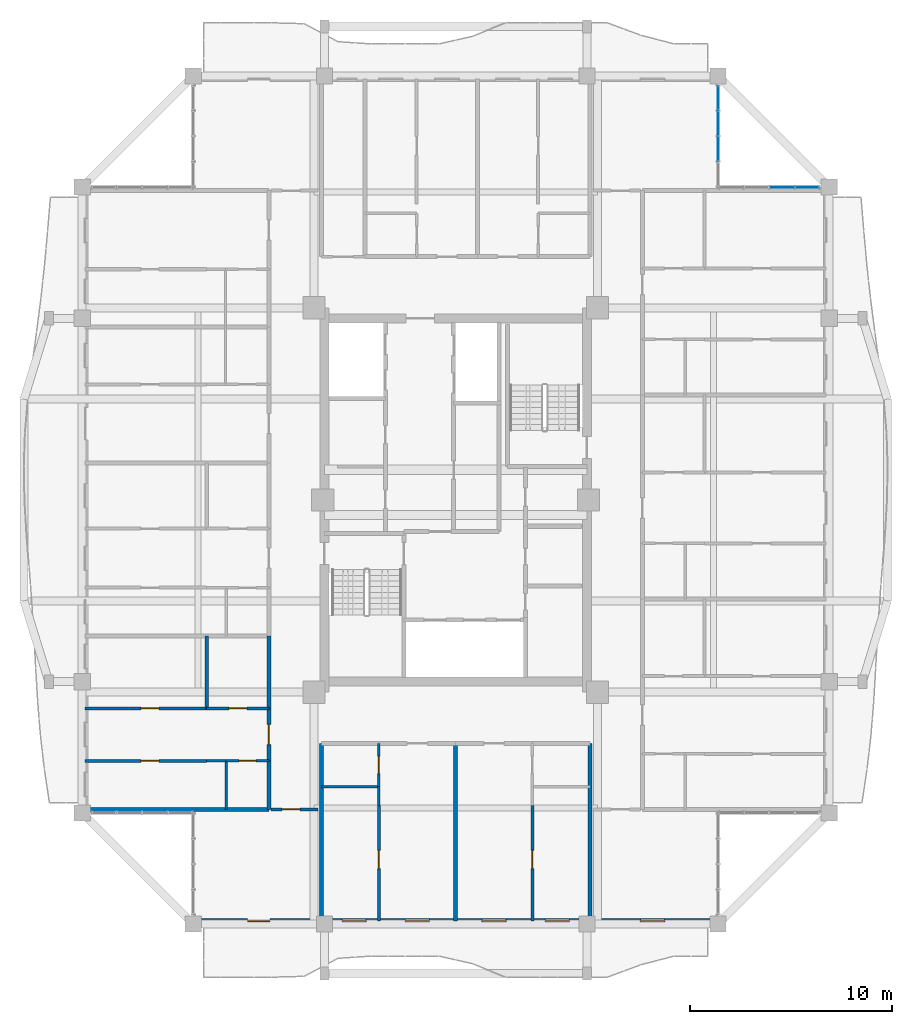
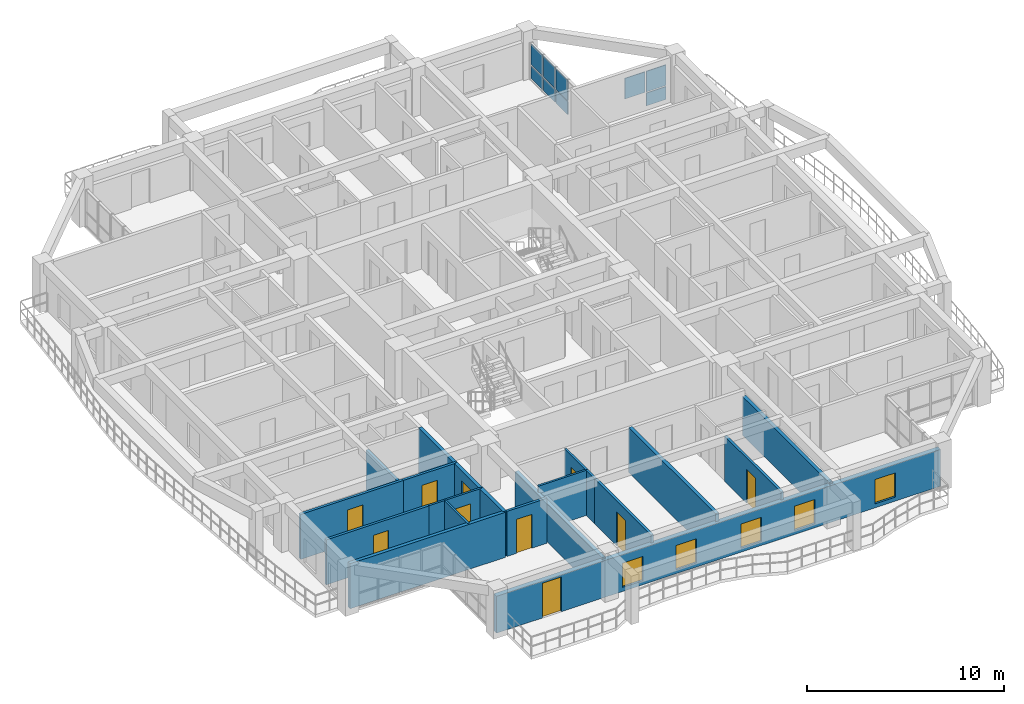
# One storey, part 10 of 22: 21 walls, 10 doors, 9 plates, 5 windows, 15 openings, 2 elements without a shape of their own.
"""IFC4 building model written with IfcOpenShell, lengths in metres."""

from ifc_helpers import new_model, si_unit, direction, frame, frame_2d, origin, origin_2d, place, context, subcontext, project, spatial, rectangle, extrude, source, transform, mapped, material, layer, layer_set, type_object, element, fill, aggregate, save


model = new_model("IFC4")

# Units and contexts
model_context = context("Model", 3, precision=1e-05, world=origin(), true_north=direction((0.0, 1.0)))
body_context = subcontext(model_context, "Body", "Model", "MODEL_VIEW")
ifc_project = project(units=[si_unit("LENGTHUNIT", "METRE"), si_unit("AREAUNIT", "SQUARE_METRE"), si_unit("VOLUMEUNIT", "CUBIC_METRE"), si_unit("PLANEANGLEUNIT", "RADIAN"), si_unit("MASSUNIT", "GRAM", prefix="KILO")], contexts=[model_context])

# Site, building, storey
site_placement = place(None, origin())
site = spatial("IfcSite", under=ifc_project, at=site_placement, CompositionType="ELEMENT")
building_placement = place(site_placement, origin())
building = spatial("IfcBuilding", under=site, at=building_placement, Name="Saelheon Loggia Tower", CompositionType="ELEMENT")
storey_placement = place(building_placement, frame((0.0, 0.0, 196.60009765625)))
storey = spatial("IfcBuildingStorey", under=building, at=storey_placement, Name="L61", CompositionType="ELEMENT", Elevation=196.60009765625)

# Curtain wall, plate
ifc_material_1 = material(Name="High-Wind Aluminium and Triple Laminated Glass", Category="aluminium")
ifc_layer_1 = layer(ifc_material_1, 0.179931640625)
ifc_layer_set_1 = layer_set([ifc_layer_1], Name="High-Wind Aluminium and Triple Laminated Glass")
curtain_wall_type = type_object("IfcCurtainWallType", Name="CW_TowerLoggiaHigh", PredefinedType="NOTDEFINED", material=ifc_layer_set_1)
curtain_wall_1_placement = place(storey_placement, origin())
curtain_wall_1 = element("IfcCurtainWall", 1, at=curtain_wall_1_placement, inside=storey, type_object=curtain_wall_type, Name="L61 Corner Notch Glazing NE1", PredefinedType="NOTDEFINED")
ifc_material_2 = material(Name="Triple Low-E Laminated Glazing", Category="glass")
ifc_layer_2 = layer(ifc_material_2, 0.0439453125)
ifc_layer_set_2 = layer_set([ifc_layer_2], Name="Triple Low-E Laminated Glazing")
plate_type = type_object("IfcPlateType", Name="CW_TowerLoggiaHigh_Panel", PredefinedType="CURTAIN_PANEL", material=ifc_layer_set_2)
shared_shape_1 = source(origin(), body_context, "Body", "SweptSolid", [
    extrude(rectangle(XDim=1.159912109375, YDim=0.0439453125, at=origin_2d()), origin(), (0.0, 0.0, 1.0), 0.794921875),
])
plate_1_placement = place(storey_placement, frame((51.0, 46.909912109375, 0.06982421875), z_axis=(0.0, 0.0, 1.0), x_axis=(0.0, 1.0, 0.0)))
plate_1 = element("IfcPlate", 2, at=plate_1_placement, type_object=plate_type, Name="CW4 panel 4.1", PredefinedType="CURTAIN_PANEL", context=body_context, shape_type="MappedRepresentation", body=[
    mapped(shared_shape_1, transform((0.0, 0.0, 0.0), scale=1.0)),
])

curtain_wall_2_placement = place(storey_placement, origin())
curtain_wall_2 = element("IfcCurtainWall", 3, at=curtain_wall_2_placement, inside=storey, type_object=curtain_wall_type, Name="L61 Corner Notch Glazing NE2", PredefinedType="NOTDEFINED")
plate_2_placement = place(storey_placement, frame((55.409912109375, 42.5, 0.06982421875), z_axis=(0.0, 0.0, 1.0), x_axis=(1.0, 0.0, 0.0)))
plate_2 = element("IfcPlate", 4, at=plate_2_placement, type_object=plate_type, Name="CW4 panel 4.1", PredefinedType="CURTAIN_PANEL", context=body_context, shape_type="MappedRepresentation", body=[
    mapped(shared_shape_1, transform((0.0, 0.0, 0.0), scale=1.0)),
])

# Plate
shared_shape_2 = source(origin(), body_context, "Body", "SweptSolid", [
    extrude(rectangle(XDim=1.159912109375, YDim=0.0439453125, at=origin_2d()), origin(), (0.0, 0.0, 1.0), 1.27490234375),
])
plate_3_placement = place(storey_placement, frame((51.0, 46.909912109375, 0.93505859375), z_axis=(0.0, 0.0, 1.0), x_axis=(0.0, 1.0, 0.0)))
plate_3 = element("IfcPlate", 5, at=plate_3_placement, type_object=plate_type, Name="CW4 panel 4.2", PredefinedType="CURTAIN_PANEL", context=body_context, shape_type="MappedRepresentation", body=[
    mapped(shared_shape_2, transform((0.0, 0.0, 0.0), scale=1.0)),
])

plate_4_placement = place(storey_placement, frame((55.409912109375, 42.5, 0.93505859375), z_axis=(0.0, 0.0, 1.0), x_axis=(1.0, 0.0, 0.0)))
plate_4 = element("IfcPlate", 6, at=plate_4_placement, type_object=plate_type, Name="CW4 panel 4.2", PredefinedType="CURTAIN_PANEL", context=body_context, shape_type="MappedRepresentation", body=[
    mapped(shared_shape_2, transform((0.0, 0.0, 0.0), scale=1.0)),
])

shared_shape_3 = source(origin(), body_context, "Body", "SweptSolid", [
    extrude(rectangle(XDim=1.195068359375, YDim=0.0439453125, at=origin_2d()), origin(), (0.0, 0.0, 1.0), 0.794921875),
])
plate_5_placement = place(storey_placement, frame((51.0, 44.3974609375, 0.06982421875), z_axis=(0.0, 0.0, 1.0), x_axis=(0.0, 1.0, 0.0)))
plate_5 = element("IfcPlate", 7, at=plate_5_placement, type_object=plate_type, Name="CW4 panel 2.1", PredefinedType="CURTAIN_PANEL", context=body_context, shape_type="MappedRepresentation", body=[
    mapped(shared_shape_3, transform((0.0, 0.0, 0.0), scale=1.0)),
])

plate_6_placement = place(storey_placement, frame((51.0, 45.66259765625, 0.06982421875), z_axis=(0.0, 0.0, 1.0), x_axis=(0.0, 1.0, 0.0)))
plate_6 = element("IfcPlate", 8, at=plate_6_placement, type_object=plate_type, Name="CW4 panel 3.1", PredefinedType="CURTAIN_PANEL", context=body_context, shape_type="MappedRepresentation", body=[
    mapped(shared_shape_3, transform((0.0, 0.0, 0.0), scale=1.0)),
])

shared_shape_4 = source(origin(), body_context, "Body", "SweptSolid", [
    extrude(rectangle(XDim=1.195068359375, YDim=0.0439453125, at=origin_2d()), origin(), (0.0, 0.0, 1.0), 1.27490234375),
])
plate_7_placement = place(storey_placement, frame((51.0, 44.3974609375, 0.93505859375), z_axis=(0.0, 0.0, 1.0), x_axis=(0.0, 1.0, 0.0)))
plate_7 = element("IfcPlate", 9, at=plate_7_placement, type_object=plate_type, Name="CW4 panel 2.2", PredefinedType="CURTAIN_PANEL", context=body_context, shape_type="MappedRepresentation", body=[
    mapped(shared_shape_4, transform((0.0, 0.0, 0.0), scale=1.0)),
])

plate_8_placement = place(storey_placement, frame((51.0, 45.66259765625, 0.93505859375), z_axis=(0.0, 0.0, 1.0), x_axis=(0.0, 1.0, 0.0)))
plate_8 = element("IfcPlate", 10, at=plate_8_placement, type_object=plate_type, Name="CW4 panel 3.2", PredefinedType="CURTAIN_PANEL", context=body_context, shape_type="MappedRepresentation", body=[
    mapped(shared_shape_4, transform((0.0, 0.0, 0.0), scale=1.0)),
])

aggregate(curtain_wall_1, [plate_5, plate_7, plate_6, plate_8, plate_1, plate_3])

plate_9_placement = place(storey_placement, frame((54.16259765625, 42.5, 0.93505859375), z_axis=(0.0, 0.0, 1.0), x_axis=(1.0, 0.0, 0.0)))
plate_9 = element("IfcPlate", 11, at=plate_9_placement, type_object=plate_type, Name="CW4 panel 3.2", PredefinedType="CURTAIN_PANEL", context=body_context, shape_type="MappedRepresentation", body=[
    mapped(shared_shape_4, transform((0.0, 0.0, 0.0), scale=1.0)),
])

aggregate(curtain_wall_2, [plate_9, plate_2, plate_4])

# Wall, openings, windows, door
ifc_material_3 = material(Name="Architectural Precast Concrete C40/50", Category="concrete")
ifc_layer_3 = layer(ifc_material_3, 0.280029296875)
ifc_layer_set_3 = layer_set([ifc_layer_3], Name="Architectural Precast Concrete C40/50")
wall_type_1 = type_object("IfcWallType", Name="Wall_Ext_Loggia_280", PredefinedType="SOLIDWALL", material=ifc_layer_set_3)
wall_1_placement = place(storey_placement, frame((25.0, 6.139892578125, 0.0), z_axis=(0.0, 0.0, 1.0), x_axis=(1.0, 0.0, 0.0)))
wall_1 = element("IfcWall", 12, at=wall_1_placement, inside=storey, type_object=wall_type_1, Name="L61 South Loggia Inner Wall", PredefinedType="SOLIDWALL", context=body_context, shape_type="SweptSolid", body=[
    extrude(rectangle(XDim=26.0, YDim=0.280029296875, at=frame_2d((13.0, 0.0))), origin(), (0.0, 0.0, 1.0), 2.27978515625),
])
opening_1_placement = place(wall_1_placement, frame((3.800048828125, 0.0, 0.0), z_axis=(0.0, 0.0, 1.0), x_axis=(-1.0, 0.0, 0.0)))
opening_1 = element("IfcOpeningElement", 13, at=opening_1_placement, cuts=wall_1, Name="Opening TD1", PredefinedType="OPENING", context=body_context, shape_type="SweptSolid", body=[
    extrude(rectangle(XDim=1.10009765625, YDim=2.14990234375, at=frame_2d((0.550048828125, 1.074951171875))), frame((0.0, 0.152099609375, 0.0), z_axis=(0.0, -1.0, 0.0), x_axis=(1.0, 0.0, 0.0)), (0.0, 0.0, 1.0), 0.303955078125),
])
opening_2_placement = place(wall_1_placement, frame((7.3701171875, 0.0, 0.25)))
opening_2 = element("IfcOpeningElement", 14, at=opening_2_placement, cuts=wall_1, Name="Opening WN-03", PredefinedType="OPENING", context=body_context, shape_type="SweptSolid", body=[
    extrude(rectangle(XDim=1.199951171875, YDim=1.5, at=frame_2d((0.60009765625, 0.75))), frame((0.0, 0.152099609375, 0.0), z_axis=(0.0, -1.0, 0.0), x_axis=(1.0, 0.0, 0.0)), (0.0, 0.0, 1.0), 0.303955078125),
])
opening_3_placement = place(wall_1_placement, frame((10.5, 0.0, 0.25)))
opening_3 = element("IfcOpeningElement", 15, at=opening_3_placement, cuts=wall_1, Name="Opening WN-03", PredefinedType="OPENING", context=body_context, shape_type="SweptSolid", body=[
    extrude(rectangle(XDim=1.199951171875, YDim=1.5, at=frame_2d((0.60009765625, 0.75))), frame((0.0, 0.152099609375, 0.0), z_axis=(0.0, -1.0, 0.0), x_axis=(1.0, 0.0, 0.0)), (0.0, 0.0, 1.0), 0.303955078125),
])
opening_4_placement = place(wall_1_placement, frame((14.300048828125, 0.0, 0.25)))
opening_4 = element("IfcOpeningElement", 16, at=opening_4_placement, cuts=wall_1, Name="Opening WN-03", PredefinedType="OPENING", context=body_context, shape_type="SweptSolid", body=[
    extrude(rectangle(XDim=1.199951171875, YDim=1.5, at=frame_2d((0.60009765625, 0.75))), frame((0.0, 0.152099609375, 0.0), z_axis=(0.0, -1.0, 0.0), x_axis=(1.0, 0.0, 0.0)), (0.0, 0.0, 1.0), 0.303955078125),
])
opening_5_placement = place(wall_1_placement, frame((17.429931640625, 0.0, 0.25)))
opening_5 = element("IfcOpeningElement", 17, at=opening_5_placement, cuts=wall_1, Name="Opening WN-03", PredefinedType="OPENING", context=body_context, shape_type="SweptSolid", body=[
    extrude(rectangle(XDim=1.199951171875, YDim=1.5, at=frame_2d((0.60009765625, 0.75))), frame((0.0, 0.152099609375, 0.0), z_axis=(0.0, -1.0, 0.0), x_axis=(1.0, 0.0, 0.0)), (0.0, 0.0, 1.0), 0.303955078125),
])
opening_6_placement = place(wall_1_placement, frame((22.14990234375, 0.0, 0.25)))
opening_6 = element("IfcOpeningElement", 18, at=opening_6_placement, cuts=wall_1, Name="Opening WN-03", PredefinedType="OPENING", context=body_context, shape_type="SweptSolid", body=[
    extrude(rectangle(XDim=1.199951171875, YDim=1.5, at=frame_2d((0.60009765625, 0.75))), frame((0.0, 0.152099609375, 0.0), z_axis=(0.0, -1.0, 0.0), x_axis=(1.0, 0.0, 0.0)), (0.0, 0.0, 1.0), 0.303955078125),
])
ifc_material_4 = material(Name="Thermal-Break Aluminium and Triple Low-E Glass", Category="aluminium")
window_type = type_object("IfcWindowType", Name="Win_Bedroom_1200x1500", PartitioningType="SINGLE_PANEL", PredefinedType="WINDOW", material=ifc_material_4)
shared_shape_5 = source(origin(), body_context, "Body", "SweptSolid", [
    extrude(rectangle(XDim=1.199951171875, YDim=1.5, at=frame_2d((0.60009765625, 0.75))), frame((0.0, 0.030029296875, 0.0), z_axis=(0.0, -1.0, 0.0), x_axis=(1.0, 0.0, 0.0)), (0.0, 0.0, 1.0), 0.06005859375),
])
window_1_placement = place(opening_2_placement, origin())
window_1 = element("IfcWindow", 19, at=window_1_placement, inside=storey, type_object=window_type, Name="L61 S Dwelling Window 2", OverallHeight=1.5, OverallWidth=1.199951171875, PartitioningType="SINGLE_PANEL", PredefinedType="WINDOW", context=body_context, shape_type="MappedRepresentation", body=[
    mapped(shared_shape_5, transform((0.0, 0.0, 0.0), scale=1.0)),
])
fill(opening_2, window_1)
window_2_placement = place(opening_3_placement, origin())
window_2 = element("IfcWindow", 20, at=window_2_placement, inside=storey, type_object=window_type, Name="L61 S Dwelling Window 3", OverallHeight=1.5, OverallWidth=1.199951171875, PartitioningType="SINGLE_PANEL", PredefinedType="WINDOW", context=body_context, shape_type="MappedRepresentation", body=[
    mapped(shared_shape_5, transform((0.0, 0.0, 0.0), scale=1.0)),
])
fill(opening_3, window_2)
window_3_placement = place(opening_4_placement, origin())
window_3 = element("IfcWindow", 21, at=window_3_placement, inside=storey, type_object=window_type, Name="L61 S Dwelling Window 4", OverallHeight=1.5, OverallWidth=1.199951171875, PartitioningType="SINGLE_PANEL", PredefinedType="WINDOW", context=body_context, shape_type="MappedRepresentation", body=[
    mapped(shared_shape_5, transform((0.0, 0.0, 0.0), scale=1.0)),
])
fill(opening_4, window_3)
window_4_placement = place(opening_5_placement, origin())
window_4 = element("IfcWindow", 22, at=window_4_placement, inside=storey, type_object=window_type, Name="L61 S Dwelling Window 5", OverallHeight=1.5, OverallWidth=1.199951171875, PartitioningType="SINGLE_PANEL", PredefinedType="WINDOW", context=body_context, shape_type="MappedRepresentation", body=[
    mapped(shared_shape_5, transform((0.0, 0.0, 0.0), scale=1.0)),
])
fill(opening_5, window_4)
window_5_placement = place(opening_6_placement, origin())
window_5 = element("IfcWindow", 23, at=window_5_placement, inside=storey, type_object=window_type, Name="L61 S Dwelling Window 6", OverallHeight=1.5, OverallWidth=1.199951171875, PartitioningType="SINGLE_PANEL", PredefinedType="WINDOW", context=body_context, shape_type="MappedRepresentation", body=[
    mapped(shared_shape_5, transform((0.0, 0.0, 0.0), scale=1.0)),
])
fill(opening_6, window_5)
ifc_material_5 = material(Name="Thermal-Break Aluminium Glazed Door", Category="aluminium")
door_type_1 = type_object("IfcDoorType", Name="Door_Terrace_TD1", OperationType="NOTDEFINED", PredefinedType="DOOR", material=ifc_material_5)
shared_shape_6 = source(origin(), body_context, "Body", "SweptSolid", [
    extrude(rectangle(XDim=1.10009765625, YDim=2.14990234375, at=frame_2d((0.550048828125, 1.074951171875))), frame((0.0, 0.02490234375, 0.0), z_axis=(0.0, -1.0, 0.0), x_axis=(1.0, 0.0, 0.0)), (0.0, 0.0, 1.0), 0.050048828125),
])
door_1_placement = place(opening_1_placement, origin())
door_1 = element("IfcDoor", 24, at=door_1_placement, inside=storey, type_object=door_type_1, Name="L61 S Loggia Access Door", OperationType="SINGLE_SWING_LEFT", OverallHeight=2.14990234375, OverallWidth=1.10009765625, PredefinedType="DOOR", context=body_context, shape_type="MappedRepresentation", body=[
    mapped(shared_shape_6, transform((0.0, 0.0, 0.0), scale=1.0)),
])
fill(opening_1, door_1)

# Wall, opening, door
ifc_material_6 = material(Name="Lightweight Autoclaved Aerated Concrete Block and Acoustic Gypsum", Category="concrete")
ifc_layer_4 = layer(ifc_material_6, 0.14990234375)
ifc_layer_set_4 = layer_set([ifc_layer_4], Name="Lightweight Autoclaved Aerated Concrete Block and Acoustic Gypsum")
wall_type_2 = type_object("IfcWallType", Name="Wall_Part_150", PredefinedType="PARTITIONING", material=ifc_layer_set_4)
wall_2_placement = place(storey_placement, frame((28.85009765625, 11.679931640625, 0.0), z_axis=(0.0, 0.0, 1.0), x_axis=(1.0, 0.0, 0.0)))
wall_2 = element("IfcWall", 25, at=wall_2_placement, inside=storey, type_object=wall_type_2, Name="PW-L61-CSW-H", PredefinedType="PARTITIONING", context=body_context, shape_type="SweptSolid", body=[
    extrude(rectangle(XDim=2.329833984375, YDim=0.14990234375, at=frame_2d((1.1650390625, 0.0))), origin(), (0.0, 0.0, 1.0), 2.789794921875),
])
opening_7_placement = place(wall_2_placement, frame((0.550048828125, 0.0, 0.0)))
opening_7 = element("IfcOpeningElement", 26, at=opening_7_placement, cuts=wall_2, Name="Opening D-IN2", PredefinedType="OPENING", context=body_context, shape_type="SweptSolid", body=[
    extrude(rectangle(XDim=0.89990234375, YDim=2.10009765625, at=frame_2d((0.449951171875, 1.050048828125))), frame((0.0, 0.0869140625, 0.0), z_axis=(0.0, -1.0, 0.0), x_axis=(1.0, 0.0, 0.0)), (0.0, 0.0, 1.0), 0.173828125),
])
ifc_material_7 = material(Name="Engineered Oak Flush Door", Category="timber")
door_type_2 = type_object("IfcDoorType", Name="Door_Int_900", OperationType="NOTDEFINED", PredefinedType="DOOR", material=ifc_material_7)
shared_shape_7 = source(origin(), body_context, "Body", "SweptSolid", [
    extrude(rectangle(XDim=0.89990234375, YDim=2.10009765625, at=frame_2d((0.449951171875, 1.050048828125))), frame((0.0, 0.02490234375, 0.0), z_axis=(0.0, -1.0, 0.0), x_axis=(1.0, 0.0, 0.0)), (0.0, 0.0, 1.0), 0.050048828125),
])
door_2_placement = place(opening_7_placement, origin())
door_2 = element("IfcDoor", 27, at=door_2_placement, inside=storey, type_object=door_type_2, Name="L61 Corner Home Office SW Door", OperationType="SINGLE_SWING_RIGHT", OverallHeight=2.10009765625, OverallWidth=0.89990234375, PredefinedType="DOOR", context=body_context, shape_type="MappedRepresentation", body=[
    mapped(shared_shape_7, transform((0.0, 0.0, 0.0), scale=1.0)),
])
fill(opening_7, door_2)

wall_3_placement = place(storey_placement, frame((34.199951171875, 11.8701171875, 0.0), z_axis=(0.0, 0.0, 1.0), x_axis=(0.0, -1.0, 0.0)))
wall_3 = element("IfcWall", 28, at=wall_3_placement, inside=storey, type_object=wall_type_2, Name="L61 S Partition U08", PredefinedType="PARTITIONING", context=body_context, shape_type="SweptSolid", body=[
    extrude(rectangle(XDim=5.72021484375, YDim=0.14990234375, at=frame_2d((2.860107421875, 0.0))), origin(), (0.0, 0.0, 1.0), 2.789794921875),
])
opening_8_placement = place(wall_3_placement, frame((2.229248046875, 0.0, 0.0)))
opening_8 = element("IfcOpeningElement", 29, at=opening_8_placement, cuts=wall_3, Name="Opening D-IN2", PredefinedType="OPENING", context=body_context, shape_type="SweptSolid", body=[
    extrude(rectangle(XDim=0.89990234375, YDim=2.10009765625, at=frame_2d((0.449951171875, 1.050048828125))), frame((0.0, 0.0869140625, 0.0), z_axis=(0.0, -1.0, 0.0), x_axis=(1.0, 0.0, 0.0)), (0.0, 0.0, 1.0), 0.173828125),
])
door_3_placement = place(opening_8_placement, origin())
door_3 = element("IfcDoor", 30, at=door_3_placement, inside=storey, type_object=door_type_2, Name="Unit U01 Kitchen Door", OperationType="SINGLE_SWING_RIGHT", OverallHeight=2.10009765625, OverallWidth=0.89990234375, PredefinedType="DOOR", context=body_context, shape_type="MappedRepresentation", body=[
    mapped(shared_shape_7, transform((0.0, 0.0, 0.0), scale=1.0)),
])
fill(opening_8, door_3)

wall_4_placement = place(storey_placement, frame((41.800048828125, 11.8701171875, 0.0), z_axis=(0.0, 0.0, 1.0), x_axis=(0.0, -1.0, 0.0)))
wall_4 = element("IfcWall", 31, at=wall_4_placement, inside=storey, type_object=wall_type_2, Name="L61 S Partition U15", PredefinedType="PARTITIONING", context=body_context, shape_type="SweptSolid", body=[
    extrude(rectangle(XDim=5.72021484375, YDim=0.14990234375, at=frame_2d((2.860107421875, 0.0))), origin(), (0.0, 0.0, 1.0), 2.789794921875),
])
opening_9_placement = place(wall_4_placement, frame((2.229248046875, 0.0, 0.0)))
opening_9 = element("IfcOpeningElement", 32, at=opening_9_placement, cuts=wall_4, Name="Opening D-IN2", PredefinedType="OPENING", context=body_context, shape_type="SweptSolid", body=[
    extrude(rectangle(XDim=0.89990234375, YDim=2.10009765625, at=frame_2d((0.449951171875, 1.050048828125))), frame((0.0, 0.0869140625, 0.0), z_axis=(0.0, -1.0, 0.0), x_axis=(1.0, 0.0, 0.0)), (0.0, 0.0, 1.0), 0.173828125),
])
door_4_placement = place(opening_9_placement, origin())
door_4 = element("IfcDoor", 33, at=door_4_placement, inside=storey, type_object=door_type_2, Name="Unit U02 Kitchen Door", OperationType="SINGLE_SWING_LEFT", OverallHeight=2.10009765625, OverallWidth=0.89990234375, PredefinedType="DOOR", context=body_context, shape_type="MappedRepresentation", body=[
    mapped(shared_shape_7, transform((0.0, 0.0, 0.0), scale=1.0)),
])
fill(opening_9, door_4)

# Wall
wall_5_placement = place(storey_placement, frame((25.669921875, 16.679931640625, 0.0), z_axis=(0.0, 0.0, 1.0), x_axis=(0.0, 1.0, 0.0)))
element("IfcWall", 34, at=wall_5_placement, inside=storey, type_object=wall_type_2, Name="L61 W Partition V07", PredefinedType="PARTITIONING", context=body_context, shape_type="SweptSolid", body=[
    extrude(rectangle(XDim=3.579345703125, YDim=0.14990234375, at=frame_2d((1.78955078125, 0.0))), origin(), (0.0, 0.0, 1.0), 2.489990234375),
])

# Wall, opening, door
wall_6_placement = place(storey_placement, frame((25.669921875, 14.082275390625, 0.0), z_axis=(0.0, 0.0, 1.0), x_axis=(-1.0, 0.0, 0.0)))
wall_6 = element("IfcWall", 35, at=wall_6_placement, inside=storey, type_object=wall_type_2, Name="L61 W Partition U10", PredefinedType="PARTITIONING", context=body_context, shape_type="SweptSolid", body=[
    extrude(rectangle(XDim=6.02001953125, YDim=0.14990234375, at=frame_2d((3.010009765625, 0.0))), origin(), (0.0, 0.0, 1.0), 2.789794921875),
])
opening_10_placement = place(wall_6_placement, frame((2.36669921875, 0.0, 0.0)))
opening_10 = element("IfcOpeningElement", 36, at=opening_10_placement, cuts=wall_6, Name="Opening D-IN2", PredefinedType="OPENING", context=body_context, shape_type="SweptSolid", body=[
    extrude(rectangle(XDim=0.89990234375, YDim=2.10009765625, at=frame_2d((0.449951171875, 1.050048828125))), frame((0.0, 0.0869140625, 0.0), z_axis=(0.0, -1.0, 0.0), x_axis=(1.0, 0.0, 0.0)), (0.0, 0.0, 1.0), 0.173828125),
])
door_5_placement = place(opening_10_placement, origin())
door_5 = element("IfcDoor", 37, at=door_5_placement, inside=storey, type_object=door_type_2, Name="Unit U05 Kitchen Door", OperationType="SINGLE_SWING_LEFT", OverallHeight=2.10009765625, OverallWidth=0.89990234375, PredefinedType="DOOR", context=body_context, shape_type="MappedRepresentation", body=[
    mapped(shared_shape_7, transform((0.0, 0.0, 0.0), scale=1.0)),
])
fill(opening_10, door_5)

wall_7_placement = place(storey_placement, frame((28.75, 16.679931640625, 0.0), z_axis=(0.0, 0.0, 1.0), x_axis=(-1.0, 0.0, 0.0)))
wall_7 = element("IfcWall", 38, at=wall_7_placement, inside=storey, type_object=wall_type_2, Name="L61 W Partition U11", PredefinedType="PARTITIONING", context=body_context, shape_type="SweptSolid", body=[
    extrude(rectangle(XDim=3.080078125, YDim=0.14990234375, at=frame_2d((1.5400390625, 0.0))), origin(), (0.0, 0.0, 1.0), 2.789794921875),
])
opening_11_placement = place(wall_7_placement, frame((1.090087890625, 0.0, 0.0)))
opening_11 = element("IfcOpeningElement", 39, at=opening_11_placement, cuts=wall_7, Name="Opening D-IN2", PredefinedType="OPENING", context=body_context, shape_type="SweptSolid", body=[
    extrude(rectangle(XDim=0.89990234375, YDim=2.10009765625, at=frame_2d((0.449951171875, 1.050048828125))), frame((0.0, 0.0869140625, 0.0), z_axis=(0.0, -1.0, 0.0), x_axis=(1.0, 0.0, 0.0)), (0.0, 0.0, 1.0), 0.173828125),
])
door_6_placement = place(opening_11_placement, origin())
door_6 = element("IfcDoor", 40, at=door_6_placement, inside=storey, type_object=door_type_2, Name="Unit U05 Dressing Closet Door", OperationType="SINGLE_SWING_RIGHT", OverallHeight=2.10009765625, OverallWidth=0.89990234375, PredefinedType="DOOR", context=body_context, shape_type="MappedRepresentation", body=[
    mapped(shared_shape_7, transform((0.0, 0.0, 0.0), scale=1.0)),
])
fill(opening_11, door_6)

wall_8_placement = place(storey_placement, frame((25.669921875, 16.679931640625, 0.0), z_axis=(0.0, 0.0, 1.0), x_axis=(-1.0, 0.0, 0.0)))
wall_8 = element("IfcWall", 41, at=wall_8_placement, inside=storey, type_object=wall_type_2, Name="L61 W Partition U12", PredefinedType="PARTITIONING", context=body_context, shape_type="SweptSolid", body=[
    extrude(rectangle(XDim=6.02001953125, YDim=0.14990234375, at=frame_2d((3.010009765625, 0.0))), origin(), (0.0, 0.0, 1.0), 2.789794921875),
])
opening_12_placement = place(wall_8_placement, frame((2.36669921875, 0.0, 0.0)))
opening_12 = element("IfcOpeningElement", 42, at=opening_12_placement, cuts=wall_8, Name="Opening D-IN2", PredefinedType="OPENING", context=body_context, shape_type="SweptSolid", body=[
    extrude(rectangle(XDim=0.89990234375, YDim=2.10009765625, at=frame_2d((0.449951171875, 1.050048828125))), frame((0.0, 0.0869140625, 0.0), z_axis=(0.0, -1.0, 0.0), x_axis=(1.0, 0.0, 0.0)), (0.0, 0.0, 1.0), 0.173828125),
])
door_7_placement = place(opening_12_placement, origin())
door_7 = element("IfcDoor", 43, at=door_7_placement, inside=storey, type_object=door_type_2, Name="Unit U05 Bedroom 1 Door", OperationType="SINGLE_SWING_LEFT", OverallHeight=2.10009765625, OverallWidth=0.89990234375, PredefinedType="DOOR", context=body_context, shape_type="MappedRepresentation", body=[
    mapped(shared_shape_7, transform((0.0, 0.0, 0.0), scale=1.0)),
])
fill(opening_12, door_7)

# Walls
ifc_material_8 = material(Name="Double Acoustic Stud and Fireboard Partition", Category="gypsum")
ifc_layer_5 = layer(ifc_material_8, 0.199951171875)
ifc_layer_set_5 = layer_set([ifc_layer_5], Name="Double Acoustic Stud and Fireboard Partition")
wall_type_3 = type_object("IfcWallType", Name="Wall_Party_200", PredefinedType="PARTITIONING", material=ifc_layer_set_5)
for number, where, z_axis, x_axis, name in (
    (44, (31.35009765625, 14.949951171875, 0.0), (0.0, 0.0, 1.0), (0.0, -1.0, 0.0), "L61 S Partition U01"),
    (45, (44.64990234375, 14.949951171875, 0.0), (0.0, 0.0, 1.0), (0.0, -1.0, 0.0), "L61 S Partition U02"),
):
    element("IfcWall", number, at=place(storey_placement, frame(where, z_axis=z_axis, x_axis=x_axis)), inside=storey, type_object=wall_type_3, Name=name, PredefinedType="PARTITIONING", context=body_context, shape_type="SweptSolid", body=[
        extrude(rectangle(XDim=8.800048828125, YDim=0.199951171875, at=frame_2d((4.39990234375, 0.0))), origin(), (0.0, 0.0, 1.0), 2.389892578125),
    ])
wall_9_placement = place(storey_placement, frame((38.0, 14.949951171875, 0.0), z_axis=(0.0, 0.0, 1.0), x_axis=(0.0, -1.0, 0.0)))
element("IfcWall", 46, at=wall_9_placement, inside=storey, type_object=wall_type_3, Name="L61 S Partition U09", PredefinedType="PARTITIONING", context=body_context, shape_type="SweptSolid", body=[
    extrude(rectangle(XDim=8.800048828125, YDim=0.199951171875, at=frame_2d((4.39990234375, 0.0))), origin(), (0.0, 0.0, 1.0), 2.789794921875),
])
wall_10_placement = place(storey_placement, frame((28.75, 11.679931640625, 0.0), z_axis=(0.0, 0.0, 1.0), x_axis=(-1.0, 0.0, 0.0)))
element("IfcWall", 47, at=wall_10_placement, inside=storey, type_object=wall_type_3, Name="L61 W Partition U01", PredefinedType="PARTITIONING", context=body_context, shape_type="SweptSolid", body=[
    extrude(rectangle(XDim=9.10009765625, YDim=0.199951171875, at=frame_2d((4.550048828125, 0.0))), origin(), (0.0, 0.0, 1.0), 2.789794921875),
])
wall_11_placement = place(storey_placement, frame((28.75, 11.679931640625, 0.0), z_axis=(0.0, 0.0, 1.0), x_axis=(0.0, 1.0, 0.0)))
element("IfcWall", 48, at=wall_11_placement, inside=storey, type_object=wall_type_3, Name="L61 W Partition V03", PredefinedType="PARTITIONING", context=body_context, shape_type="SweptSolid", body=[
    extrude(rectangle(XDim=2.40234375, YDim=0.199951171875, at=frame_2d((1.201171875, 0.0))), origin(), (0.0, 0.0, 1.0), 2.789794921875),
])

# Wall, opening, door
wall_12_placement = place(storey_placement, frame((28.75, 14.082275390625, 0.0), z_axis=(0.0, 0.0, 1.0), x_axis=(0.0, 1.0, 0.0)))
wall_12 = element("IfcWall", 49, at=wall_12_placement, inside=storey, type_object=wall_type_3, Name="L61 W Partition V04", PredefinedType="PARTITIONING", context=body_context, shape_type="SweptSolid", body=[
    extrude(rectangle(XDim=2.59765625, YDim=0.199951171875, at=frame_2d((1.298828125, 0.0))), origin(), (0.0, 0.0, 1.0), 2.789794921875),
])
opening_13_placement = place(wall_12_placement, frame((0.798828125, 0.0, 0.0)))
opening_13 = element("IfcOpeningElement", 50, at=opening_13_placement, cuts=wall_12, Name="Opening D-FD1", PredefinedType="OPENING", context=body_context, shape_type="SweptSolid", body=[
    extrude(rectangle(XDim=1.0, YDim=2.14990234375, at=frame_2d((0.5, 1.074951171875))), frame((0.0, 0.112060546875, 0.0), z_axis=(0.0, -1.0, 0.0), x_axis=(1.0, 0.0, 0.0)), (0.0, 0.0, 1.0), 0.223876953125),
])
ifc_material_9 = material(Name="Fire-Rated Engineered Timber Entrance Door", Category="wood")
door_type_3 = type_object("IfcDoorType", Name="Door_Flat_FD30S", OperationType="NOTDEFINED", PredefinedType="DOOR", material=ifc_material_9)
shared_shape_8 = source(origin(), body_context, "Body", "SweptSolid", [
    extrude(rectangle(XDim=1.0, YDim=2.14990234375, at=frame_2d((0.5, 1.074951171875))), frame((0.0, 0.02490234375, 0.0), z_axis=(0.0, -1.0, 0.0), x_axis=(1.0, 0.0, 0.0)), (0.0, 0.0, 1.0), 0.050048828125),
])
door_8_placement = place(opening_13_placement, origin())
door_8 = element("IfcDoor", 51, at=door_8_placement, inside=storey, type_object=door_type_3, Name="Unit U05 Entrance Door", OperationType="SINGLE_SWING_LEFT", OverallHeight=2.14990234375, OverallWidth=1.0, PredefinedType="DOOR", context=body_context, shape_type="MappedRepresentation", body=[
    mapped(shared_shape_8, transform((0.0, 0.0, 0.0), scale=1.0)),
])
fill(opening_13, door_8)

# Wall
wall_13_placement = place(storey_placement, frame((28.75, 16.679931640625, 0.0), z_axis=(0.0, 0.0, 1.0), x_axis=(0.0, 1.0, 0.0)))
element("IfcWall", 52, at=wall_13_placement, inside=storey, type_object=wall_type_3, Name="L61 W Partition V05", PredefinedType="PARTITIONING", context=body_context, shape_type="SweptSolid", body=[
    extrude(rectangle(XDim=3.579345703125, YDim=0.199951171875, at=frame_2d((1.78955078125, 0.0))), origin(), (0.0, 0.0, 1.0), 2.789794921875),
])

# Wall, opening, door
ifc_material_10 = material(Name="Moisture-Resistant Cement Board Partition", Category="gypsum")
ifc_layer_6 = layer(ifc_material_10, 0.1201171875)
ifc_layer_set_6 = layer_set([ifc_layer_6], Name="Moisture-Resistant Cement Board Partition")
wall_type_4 = type_object("IfcWallType", Name="Wall_WetPart_120", PredefinedType="PARTITIONING", material=ifc_layer_set_6)
wall_14_placement = place(storey_placement, frame((34.199951171875, 14.949951171875, 0.0), z_axis=(0.0, 0.0, 1.0), x_axis=(0.0, -1.0, 0.0)))
wall_14 = element("IfcWall", 53, at=wall_14_placement, inside=storey, type_object=wall_type_4, Name="L61 S Partition U05", PredefinedType="PARTITIONING", context=body_context, shape_type="SweptSolid", body=[
    extrude(rectangle(XDim=2.14990234375, YDim=0.1201171875, at=frame_2d((1.074951171875, 0.0))), origin(), (0.0, 0.0, 1.0), 2.789794921875),
])
opening_14_placement = place(wall_14_placement, frame((0.64990234375, 0.0, 0.0)))
opening_14 = element("IfcOpeningElement", 54, at=opening_14_placement, cuts=wall_14, Name="Opening D-BT1", PredefinedType="OPENING", context=body_context, shape_type="SweptSolid", body=[
    extrude(rectangle(XDim=0.85009765625, YDim=2.050048828125, at=frame_2d((0.425048828125, 1.02490234375))), frame((0.0, 0.072021484375, 0.0), z_axis=(0.0, -1.0, 0.0), x_axis=(1.0, 0.0, 0.0)), (0.0, 0.0, 1.0), 0.14404296875),
])
ifc_material_11 = material(Name="Moisture-Resistant Laminate Timber Door", Category="wood")
door_type_4 = type_object("IfcDoorType", Name="Door_Bath_850", OperationType="NOTDEFINED", PredefinedType="DOOR", material=ifc_material_11)
shared_shape_9 = source(origin(), body_context, "Body", "SweptSolid", [
    extrude(rectangle(XDim=0.85009765625, YDim=2.050048828125, at=frame_2d((0.425048828125, 1.02490234375))), frame((0.0, 0.02490234375, 0.0), z_axis=(0.0, -1.0, 0.0), x_axis=(1.0, 0.0, 0.0)), (0.0, 0.0, 1.0), 0.050048828125),
])
door_9_placement = place(opening_14_placement, origin())
door_9 = element("IfcDoor", 55, at=door_9_placement, inside=storey, type_object=door_type_4, Name="Unit U01 Bathroom Door", OperationType="SINGLE_SWING_LEFT", OverallHeight=2.050048828125, OverallWidth=0.85009765625, PredefinedType="DOOR", context=body_context, shape_type="MappedRepresentation", body=[
    mapped(shared_shape_9, transform((0.0, 0.0, 0.0), scale=1.0)),
])
fill(opening_14, door_9)

# Walls
wall_15_placement = place(storey_placement, frame((34.199951171875, 12.800048828125, 0.0), z_axis=(0.0, 0.0, 1.0), x_axis=(0.0, -1.0, 0.0)))
element("IfcWall", 56, at=wall_15_placement, inside=storey, type_object=wall_type_4, Name="L61 S Partition U06", PredefinedType="PARTITIONING", context=body_context, shape_type="SweptSolid", body=[
    extrude(rectangle(XDim=0.929931640625, YDim=0.1201171875, at=frame_2d((0.46484375, 0.0))), origin(), (0.0, 0.0, 1.0), 2.789794921875),
])
wall_16_placement = place(storey_placement, frame((31.35009765625, 12.800048828125, 0.0), z_axis=(0.0, 0.0, 1.0), x_axis=(1.0, 0.0, 0.0)))
element("IfcWall", 57, at=wall_16_placement, inside=storey, type_object=wall_type_4, Name="L61 S Partition V07", PredefinedType="PARTITIONING", context=body_context, shape_type="SweptSolid", body=[
    extrude(rectangle(XDim=2.849853515625, YDim=0.1201171875, at=frame_2d((1.4248046875, 0.0))), origin(), (0.0, 0.0, 1.0), 2.789794921875),
])
wall_17_placement = place(storey_placement, frame((26.6298828125, 11.679931640625, 0.0), z_axis=(0.0, 0.0, 1.0), x_axis=(0.0, 1.0, 0.0)))
element("IfcWall", 58, at=wall_17_placement, inside=storey, type_object=wall_type_4, Name="L61 W Partition V06", PredefinedType="PARTITIONING", context=body_context, shape_type="SweptSolid", body=[
    extrude(rectangle(XDim=2.40234375, YDim=0.1201171875, at=frame_2d((1.201171875, 0.0))), origin(), (0.0, 0.0, 1.0), 2.789794921875),
])

# Wall, opening, door
wall_18_placement = place(storey_placement, frame((28.75, 14.082275390625, 0.0), z_axis=(0.0, 0.0, 1.0), x_axis=(-1.0, 0.0, 0.0)))
wall_18 = element("IfcWall", 59, at=wall_18_placement, inside=storey, type_object=wall_type_4, Name="L61 W Partition U08", PredefinedType="PARTITIONING", context=body_context, shape_type="SweptSolid", body=[
    extrude(rectangle(XDim=2.1201171875, YDim=0.1201171875, at=frame_2d((1.06005859375, 0.0))), origin(), (0.0, 0.0, 1.0), 2.789794921875),
])
opening_15_placement = place(wall_18_placement, frame((0.635009765625, 0.0, 0.0)))
opening_15 = element("IfcOpeningElement", 60, at=opening_15_placement, cuts=wall_18, Name="Opening D-BT1", PredefinedType="OPENING", context=body_context, shape_type="SweptSolid", body=[
    extrude(rectangle(XDim=0.85009765625, YDim=2.050048828125, at=frame_2d((0.425048828125, 1.02490234375))), frame((0.0, 0.072021484375, 0.0), z_axis=(0.0, -1.0, 0.0), x_axis=(1.0, 0.0, 0.0)), (0.0, 0.0, 1.0), 0.14404296875),
])
door_10_placement = place(opening_15_placement, origin())
door_10 = element("IfcDoor", 61, at=door_10_placement, inside=storey, type_object=door_type_4, Name="Unit U05 Bathroom Door", OperationType="SINGLE_SWING_RIGHT", OverallHeight=2.050048828125, OverallWidth=0.85009765625, PredefinedType="DOOR", context=body_context, shape_type="MappedRepresentation", body=[
    mapped(shared_shape_9, transform((0.0, 0.0, 0.0), scale=1.0)),
])
fill(opening_15, door_10)

# Wall
wall_19_placement = place(storey_placement, frame((26.6298828125, 14.082275390625, 0.0), z_axis=(0.0, 0.0, 1.0), x_axis=(-1.0, 0.0, 0.0)))
element("IfcWall", 62, at=wall_19_placement, inside=storey, type_object=wall_type_4, Name="L61 W Partition U09", PredefinedType="PARTITIONING", context=body_context, shape_type="SweptSolid", body=[
    extrude(rectangle(XDim=0.9599609375, YDim=0.1201171875, at=frame_2d((0.47998046875, 0.0))), origin(), (0.0, 0.0, 1.0), 2.789794921875),
])

save(model, "model.ifc")
